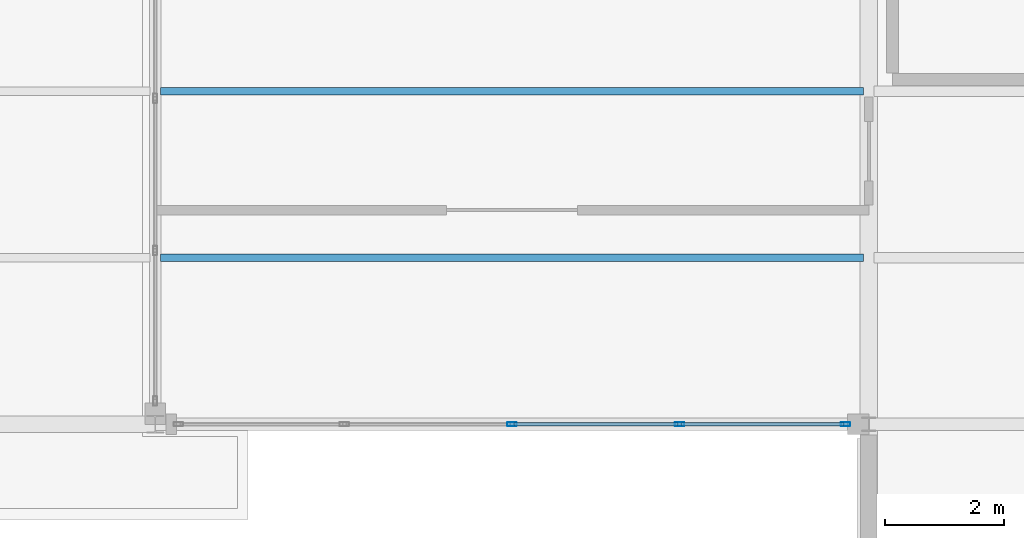
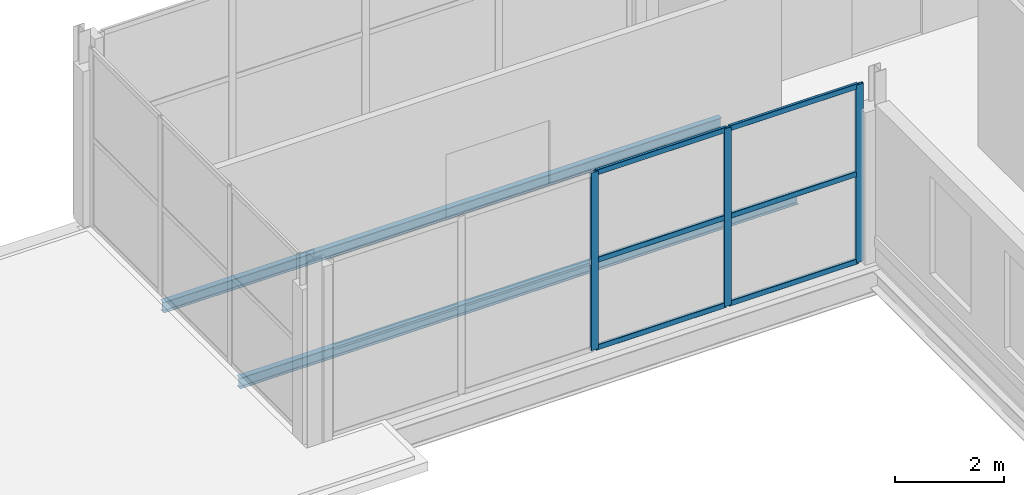
# One storey, part 65 of 93: 9 members, 2 beams, 1 element without a shape of its own.
"""IFC4 building model written with IfcOpenShell, lengths in metres."""

from ifc_helpers import new_model, si_unit, direction, frame, origin, origin_2d, place, context, subcontext, project, spatial, hollow_rectangle, i_section, extrude, material, layer, layer_set, material_profile, profile_set, type_object, element, aggregate, save


model = new_model("IFC4")

# Units and contexts
model_context = context("Model", 3, precision=1e-05, world=origin(), true_north=direction((0.0, 1.0)))
body_context = subcontext(model_context, "Body", "Model", "MODEL_VIEW")
ifc_project = project(units=[si_unit("LENGTHUNIT", "METRE"), si_unit("AREAUNIT", "SQUARE_METRE"), si_unit("VOLUMEUNIT", "CUBIC_METRE"), si_unit("PLANEANGLEUNIT", "RADIAN"), si_unit("MASSUNIT", "GRAM", prefix="KILO")], contexts=[model_context])

# Site, building, storey
site_placement = place(None, origin())
site = spatial("IfcSite", under=ifc_project, at=site_placement, CompositionType="ELEMENT")
building_placement = place(site_placement, origin())
building = spatial("IfcBuilding", under=site, at=building_placement, Name="Vekula Escarpment Museum", CompositionType="ELEMENT")
storey_placement = place(building_placement, frame((0.0, 0.0, 22.199951171875)))
storey = spatial("IfcBuildingStorey", under=building, at=storey_placement, Name="L05", CompositionType="ELEMENT", Elevation=22.199951171875)

# Beams
ifc_material_1 = material(Name="Steel S355", Category="steel")
ifc_material_profile_1 = material_profile(ifc_material_1, i_section(OverallWidth=0.1201171875, OverallDepth=0.239990234375, WebThickness=0.006103515625, FlangeThickness=0.009765625, FilletRadius=0.014892578125, at=origin_2d()), Name="IPE 240")
ifc_profile_set_1 = profile_set([ifc_material_profile_1], Name="Steel S355")
beam_type = type_object("IfcBeamType", Name="BM-JST-IPE240", PredefinedType="JOIST", material=ifc_profile_set_1)
for number, where, z_axis, x_axis, name in (
    (1, (155.090087890625, 70.800048828125, -0.369873046875), (1.0, 0.0, 0.0), (0.0, 1.0, 0.0), "Secondary Joist L05 1385"),
    (2, (155.090087890625, 73.60009765625, -0.369873046875), (1.0, 0.0, 0.0), (0.0, 1.0, 0.0), "Secondary Joist L05 1386"),
):
    element("IfcBeam", number, at=place(storey_placement, frame(where, z_axis=z_axis, x_axis=x_axis)), inside=storey, type_object=beam_type, Name=name, PredefinedType="JOIST", context=body_context, shape_type="SweptSolid", body=[
        extrude(i_section(OverallWidth=0.1201171875, OverallDepth=0.239990234375, WebThickness=0.006103515625, FlangeThickness=0.009765625, FilletRadius=0.014892578125, at=origin_2d()), origin(), (0.0, 0.0, 1.0), 11.81982421875),
    ])

# Curtain wall, members
ifc_material_2 = material(Name="Aluminium thermally broken framing", Category="aluminium")
ifc_layer = layer(ifc_material_2, 0.159912109375)
ifc_layer_set = layer_set([ifc_layer], Name="Aluminium thermally broken framing")
curtain_wall_type = type_object("IfcCurtainWallType", Name="CW-SYS-05", PredefinedType="NOTDEFINED", material=ifc_layer_set)
curtain_wall_placement = place(storey_placement, origin())
curtain_wall = element("IfcCurtainWall", 3, at=curtain_wall_placement, inside=storey, type_object=curtain_wall_type, Name="Curtain Wall CW-L05-185", PredefinedType="NOTDEFINED")
ifc_material_3 = material(Name="Aluminium anodized mullion", Category="aluminium")
ifc_material_profile_2 = material_profile(ifc_material_3, hollow_rectangle(XDim=0.06005859375, YDim=0.159912109375, WallThickness=0.00390625, InnerFilletRadius=0.00390625, OuterFilletRadius=0.008056640625, at=origin_2d()), Name="ALU 160x60x4")
ifc_profile_set_2 = profile_set([ifc_material_profile_2], Name="Aluminium anodized mullion")
member_type_1 = type_object("IfcMemberType", Name="CW-MUL-160", PredefinedType="MULLION", material=ifc_profile_set_2)
member_1_placement = place(storey_placement, frame((161.0, 68.0, 0.0), z_axis=(0.0, 0.0, 1.0), x_axis=(0.0, 1.0, 0.0)))
member_1 = element("IfcMember", 4, at=member_1_placement, type_object=member_type_1, Name="CW-05 mullion 3", PredefinedType="MULLION", context=body_context, shape_type="SweptSolid", body=[
    extrude(hollow_rectangle(XDim=0.06005859375, YDim=0.159912109375, WallThickness=0.00390625, InnerFilletRadius=0.00390625, OuterFilletRadius=0.008056640625, at=origin_2d()), origin(), (0.0, 0.0, 1.0), 3.97998046875),
])
member_2_placement = place(storey_placement, frame((163.820068359375, 68.0, 0.0), z_axis=(0.0, 0.0, 1.0), x_axis=(0.0, 1.0, 0.0)))
member_2 = element("IfcMember", 5, at=member_2_placement, type_object=member_type_1, Name="CW-05 mullion 4", PredefinedType="MULLION", context=body_context, shape_type="SweptSolid", body=[
    extrude(hollow_rectangle(XDim=0.06005859375, YDim=0.159912109375, WallThickness=0.00390625, InnerFilletRadius=0.00390625, OuterFilletRadius=0.008056640625, at=origin_2d()), origin(), (0.0, 0.0, 1.0), 3.97998046875),
])
member_3_placement = place(storey_placement, frame((166.610107421875, 68.0, 0.0), z_axis=(0.0, 0.0, 1.0), x_axis=(0.0, 1.0, 0.0)))
member_3 = element("IfcMember", 6, at=member_3_placement, type_object=member_type_1, Name="CW-05 mullion 5", PredefinedType="MULLION", context=body_context, shape_type="SweptSolid", body=[
    extrude(hollow_rectangle(XDim=0.06005859375, YDim=0.159912109375, WallThickness=0.00390625, InnerFilletRadius=0.00390625, OuterFilletRadius=0.008056640625, at=origin_2d()), origin(), (0.0, 0.0, 1.0), 3.97998046875),
])
ifc_material_4 = material(Name="Aluminium anodized transom", Category="aluminium")
ifc_material_profile_3 = material_profile(ifc_material_4, hollow_rectangle(XDim=0.06005859375, YDim=0.1201171875, WallThickness=0.00390625, InnerFilletRadius=0.00390625, OuterFilletRadius=0.008056640625, at=origin_2d()), Name="ALU 120x60x4")
ifc_profile_set_3 = profile_set([ifc_material_profile_3], Name="Aluminium anodized transom")
member_type_2 = type_object("IfcMemberType", Name="CW-TRN-120", PredefinedType="USERDEFINED", material=ifc_profile_set_3)
member_4_placement = place(storey_placement, frame((161.030029296875, 68.0, 0.030029296875), z_axis=(1.0, 0.0, 0.0), x_axis=(0.0, 1.0, 0.0)))
member_4 = element("IfcMember", 7, at=member_4_placement, type_object=member_type_2, Name="CW-05 transom 3.1", ObjectType="TRANSOM", PredefinedType="USERDEFINED", context=body_context, shape_type="SweptSolid", body=[
    extrude(hollow_rectangle(XDim=0.06005859375, YDim=0.1201171875, WallThickness=0.00390625, InnerFilletRadius=0.00390625, OuterFilletRadius=0.008056640625, at=origin_2d()), origin(), (0.0, 0.0, 1.0), 2.760009765625),
])
member_5_placement = place(storey_placement, frame((161.030029296875, 68.0, 1.989990234375), z_axis=(1.0, 0.0, 0.0), x_axis=(0.0, 1.0, 0.0)))
member_5 = element("IfcMember", 8, at=member_5_placement, type_object=member_type_2, Name="CW-05 transom 3.2", ObjectType="TRANSOM", PredefinedType="USERDEFINED", context=body_context, shape_type="SweptSolid", body=[
    extrude(hollow_rectangle(XDim=0.06005859375, YDim=0.1201171875, WallThickness=0.00390625, InnerFilletRadius=0.00390625, OuterFilletRadius=0.008056640625, at=origin_2d()), origin(), (0.0, 0.0, 1.0), 2.760009765625),
])
member_6_placement = place(storey_placement, frame((161.030029296875, 68.0, 3.949951171875), z_axis=(1.0, 0.0, 0.0), x_axis=(0.0, 1.0, 0.0)))
member_6 = element("IfcMember", 9, at=member_6_placement, type_object=member_type_2, Name="CW-05 transom 3.3", ObjectType="TRANSOM", PredefinedType="USERDEFINED", context=body_context, shape_type="SweptSolid", body=[
    extrude(hollow_rectangle(XDim=0.06005859375, YDim=0.1201171875, WallThickness=0.00390625, InnerFilletRadius=0.00390625, OuterFilletRadius=0.008056640625, at=origin_2d()), origin(), (0.0, 0.0, 1.0), 2.760009765625),
])
member_7_placement = place(storey_placement, frame((163.85009765625, 68.0, 0.030029296875), z_axis=(1.0, 0.0, 0.0), x_axis=(0.0, 1.0, 0.0)))
member_7 = element("IfcMember", 10, at=member_7_placement, type_object=member_type_2, Name="CW-05 transom 4.1", ObjectType="TRANSOM", PredefinedType="USERDEFINED", context=body_context, shape_type="SweptSolid", body=[
    extrude(hollow_rectangle(XDim=0.06005859375, YDim=0.1201171875, WallThickness=0.00390625, InnerFilletRadius=0.00390625, OuterFilletRadius=0.008056640625, at=origin_2d()), origin(), (0.0, 0.0, 1.0), 2.72998046875),
])
member_8_placement = place(storey_placement, frame((163.85009765625, 68.0, 1.989990234375), z_axis=(1.0, 0.0, 0.0), x_axis=(0.0, 1.0, 0.0)))
member_8 = element("IfcMember", 11, at=member_8_placement, type_object=member_type_2, Name="CW-05 transom 4.2", ObjectType="TRANSOM", PredefinedType="USERDEFINED", context=body_context, shape_type="SweptSolid", body=[
    extrude(hollow_rectangle(XDim=0.06005859375, YDim=0.1201171875, WallThickness=0.00390625, InnerFilletRadius=0.00390625, OuterFilletRadius=0.008056640625, at=origin_2d()), origin(), (0.0, 0.0, 1.0), 2.72998046875),
])
member_9_placement = place(storey_placement, frame((163.85009765625, 68.0, 3.949951171875), z_axis=(1.0, 0.0, 0.0), x_axis=(0.0, 1.0, 0.0)))
member_9 = element("IfcMember", 12, at=member_9_placement, type_object=member_type_2, Name="CW-05 transom 4.3", ObjectType="TRANSOM", PredefinedType="USERDEFINED", context=body_context, shape_type="SweptSolid", body=[
    extrude(hollow_rectangle(XDim=0.06005859375, YDim=0.1201171875, WallThickness=0.00390625, InnerFilletRadius=0.00390625, OuterFilletRadius=0.008056640625, at=origin_2d()), origin(), (0.0, 0.0, 1.0), 2.72998046875),
])
aggregate(curtain_wall, [member_1, member_2, member_3, member_4, member_5, member_6, member_7, member_8, member_9])

save(model, "model.ifc")
